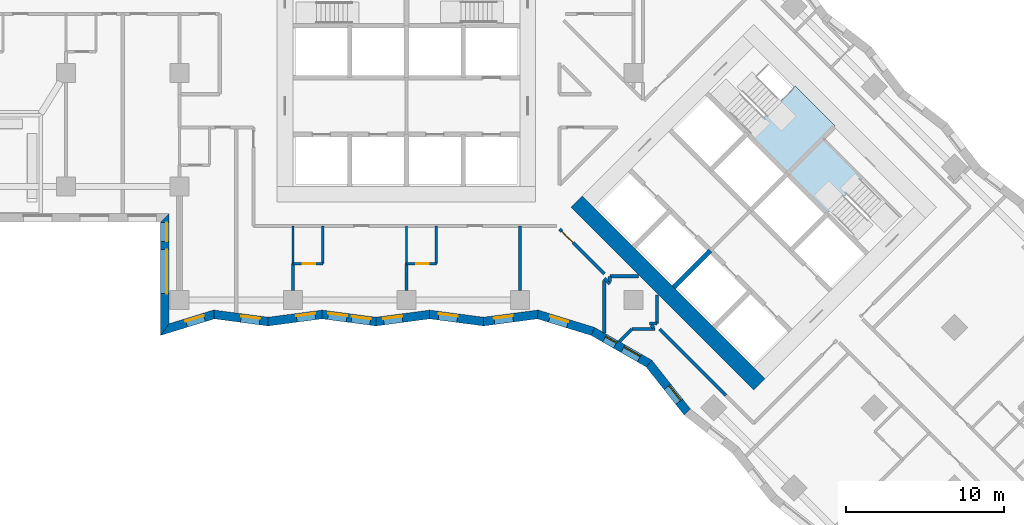
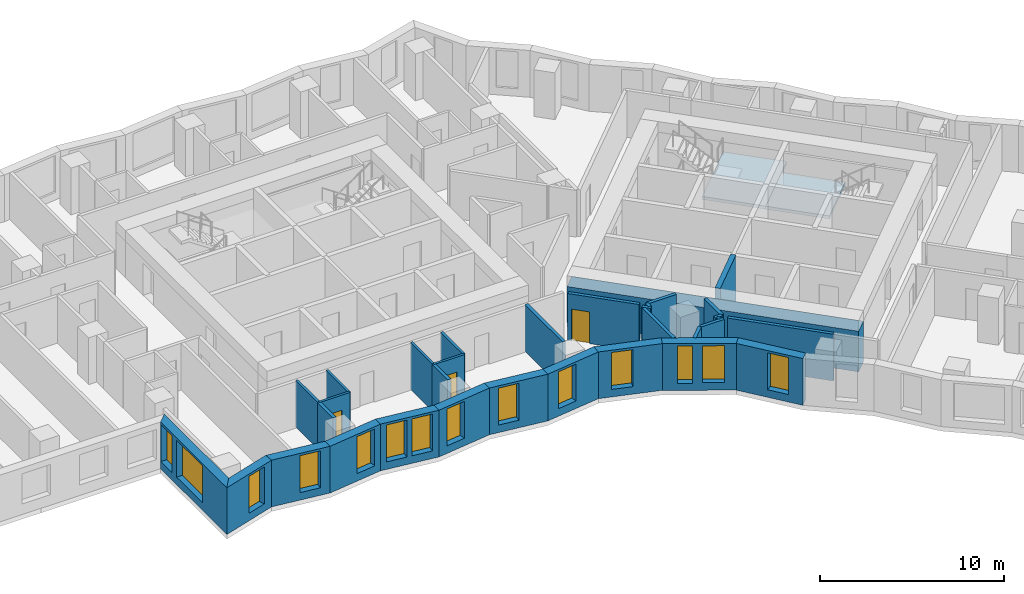
# One storey, part 2 of 14: 33 walls, 14 windows, 3 doors, 2 slabs, 17 openings, 2 elements without a shape of their own.
"""IFC4 building model written with IfcOpenShell, lengths in metres."""

from ifc_helpers import new_model, si_unit, direction, frame, frame_2d, origin, place, context, subcontext, project, spatial, polyline, rectangle, outline, extrude, material, layer, layer_set, type_object, element, fill, aggregate, save


model = new_model("IFC4")

# Units and contexts
model_context = context("Model", 3, precision=1e-05, world=origin(), true_north=direction((0.0, 1.0)))
body_context = subcontext(model_context, "Body", "Model", "MODEL_VIEW")
ifc_project = project(units=[si_unit("LENGTHUNIT", "METRE"), si_unit("AREAUNIT", "SQUARE_METRE"), si_unit("VOLUMEUNIT", "CUBIC_METRE"), si_unit("PLANEANGLEUNIT", "RADIAN"), si_unit("MASSUNIT", "GRAM", prefix="KILO")], contexts=[model_context])

# Site, building, storey
site_placement = place(None, origin())
site = spatial("IfcSite", under=ifc_project, at=site_placement, CompositionType="ELEMENT")
building_placement = place(site_placement, origin())
building = spatial("IfcBuilding", under=site, at=building_placement, Name="Windrow Commons", CompositionType="ELEMENT")
storey_placement = place(building_placement, frame((0.0, 0.0, 44.0)))
storey = spatial("IfcBuildingStorey", under=building, at=storey_placement, Name="L11", CompositionType="ELEMENT", Elevation=44.0)

# Stair, slab
ifc_material_1 = material(Name="Concrete C40/50", Category="concrete")
stair_type = type_object("IfcStairType", Name="Core stair", PredefinedType="HALF_TURN_STAIR", material=ifc_material_1)
placement_1 = place(storey_placement, origin())
stair_1 = element("IfcStair", 1, at=placement_1, inside=storey, type_object=stair_type, Name="L11 Exit stair B1 core B", PredefinedType="HALF_TURN_STAIR")
ifc_material_2 = material(Name="Concrete C40/50", Category="concrete")
ifc_layer_1 = layer(ifc_material_2, 0.2)
ifc_layer_set_1 = layer_set([ifc_layer_1], Name="Core stair landing")
slab_type = type_object("IfcSlabType", Name="Core stair landing", PredefinedType="LANDING", material=ifc_layer_set_1)
placement_2 = place(storey_placement, frame((0.0, 0.0, 1.5)))
slab_1 = element("IfcSlab", 2, at=placement_2, type_object=slab_type, Name="ST-B1 landing 1", PredefinedType="LANDING", context=body_context, shape_type="SweptSolid", body=[
    extrude(outline(polyline([(86.3559, 53.6718), (88.8874, 51.1403), (91.9986, 54.2516), (89.4672, 56.7831), (86.3559, 53.6718)])), origin(), (0.0, 0.0, 1.0), 0.2),
])
aggregate(stair_1, [slab_1])

stair_2 = element("IfcStair", 3, at=placement_1, inside=storey, type_object=stair_type, Name="L11 Exit stair B2 core B", PredefinedType="HALF_TURN_STAIR")
slab_2 = element("IfcSlab", 4, at=placement_2, type_object=slab_type, Name="ST-B2 landing 1", PredefinedType="LANDING", context=body_context, shape_type="SweptSolid", body=[
    extrude(outline(polyline([(88.8874, 51.1403), (91.4188, 48.6089), (93.7911, 50.9812), (91.2597, 53.5127), (88.8874, 51.1403)])), origin(), (0.0, 0.0, 1.0), 0.2),
])
aggregate(stair_2, [slab_2])

# Wall, openings, windows
ifc_material_3 = material(Name="Brick masonry, red clay brick", Category="masonry")
ifc_layer_2 = layer(ifc_material_3, 0.55)
ifc_layer_set_2 = layer_set([ifc_layer_2], Name="Brick facade wall 550")
wall_type_1 = type_object("IfcWallType", Name="Brick facade wall 550", PredefinedType="SOLIDWALL", material=ifc_layer_set_2)
wall_1_placement = place(storey_placement, frame((49.475, 48.424, 0.0), z_axis=(0.0, 0.0, 1.0), x_axis=(0.0, -1.0, 0.0)))
wall_1 = element("IfcWall", 5, at=wall_1_placement, inside=storey, type_object=wall_type_1, Name="Brick facade wall L11 45", PredefinedType="SOLIDWALL", context=body_context, shape_type="SweptSolid", body=[
    extrude(outline(polyline([(0.275, -0.275), (7.475, -0.275), (6.7303, 0.275), (-0.275, 0.275), (0.275, -0.275)])), origin(), (0.0, 0.0, 1.0), 3.1),
])
opening_1_placement = place(wall_1_placement, frame((2.024, 0.0, 0.5)))
opening_1 = element("IfcOpeningElement", 6, at=opening_1_placement, cuts=wall_1, Name="Opening W1T", PredefinedType="OPENING", context=body_context, shape_type="SweptSolid", body=[
    extrude(rectangle(XDim=2.8, YDim=2.45, at=frame_2d((1.4, 1.225))), frame((0.0, 0.285, 0.0), z_axis=(0.0, -1.0, 0.0), x_axis=(1.0, 0.0, 0.0)), (0.0, 0.0, 1.0), 0.57),
])
opening_2_placement = place(wall_1_placement, frame((0.312, 0.0, 0.5)))
opening_2 = element("IfcOpeningElement", 7, at=opening_2_placement, cuts=wall_1, Name="Opening W7D", PredefinedType="OPENING", context=body_context, shape_type="SweptSolid", body=[
    extrude(rectangle(XDim=1.2, YDim=2.45, at=frame_2d((0.6, 1.225))), frame((0.0, 0.285, 0.0), z_axis=(0.0, -1.0, 0.0), x_axis=(1.0, 0.0, 0.0)), (0.0, 0.0, 1.0), 0.57),
])
ifc_material_4 = material(Name="Clear float glass in anodised aluminium frame", Category="aluminium")
window_type_1 = type_object("IfcWindowType", Name="Window W1T bedroom 2800x2450", PartitioningType="SINGLE_PANEL", PredefinedType="WINDOW", material=ifc_material_4)
window_1_placement = place(opening_1_placement, origin())
window_1 = element("IfcWindow", 8, at=window_1_placement, inside=storey, type_object=window_type_1, Name="Window L11 45.1", OverallHeight=2.45, OverallWidth=2.8, PartitioningType="SINGLE_PANEL", PredefinedType="WINDOW", context=body_context, shape_type="SweptSolid", body=[
    extrude(rectangle(XDim=2.8, YDim=2.45, at=frame_2d((1.4, 1.225))), frame((0.0, 0.155, 0.0), z_axis=(0.0, -1.0, 0.0), x_axis=(1.0, 0.0, 0.0)), (0.0, 0.0, 1.0), 0.06),
])
fill(opening_1, window_1)
ifc_material_5 = material(Name="Clear float glass in anodised aluminium frame", Category="aluminium")
window_type_2 = type_object("IfcWindowType", Name="Window W7 notch 1200x2450", PartitioningType="SINGLE_PANEL", PredefinedType="WINDOW", material=ifc_material_5)
window_2_placement = place(opening_2_placement, origin())
window_2 = element("IfcWindow", 9, at=window_2_placement, inside=storey, type_object=window_type_2, Name="Window L11 45.2", OverallHeight=2.45, OverallWidth=1.2, PartitioningType="SINGLE_PANEL", PredefinedType="WINDOW", context=body_context, shape_type="SweptSolid", body=[
    extrude(rectangle(XDim=1.2, YDim=2.45, at=frame_2d((0.6, 1.225))), frame((0.0, 0.155, 0.0), z_axis=(0.0, -1.0, 0.0), x_axis=(1.0, 0.0, 0.0)), (0.0, 0.0, 1.0), 0.06),
])
fill(opening_2, window_2)

# Wall, opening, window
wall_2_placement = place(storey_placement, frame((49.475, 41.3214, 0.0), z_axis=(0.0, 0.0, 1.0), x_axis=(0.9557664095, 0.2941267931, 0.0)))
wall_2 = element("IfcWall", 10, at=wall_2_placement, inside=storey, type_object=wall_type_1, Name="Brick facade wall L11 46", PredefinedType="SOLIDWALL", context=body_context, shape_type="SweptSolid", body=[
    extrude(outline(polyline([(-0.3724, -0.275), (3.2008, -0.275), (3.3208, 0.275), (0.3724, 0.275), (-0.3724, -0.275)])), origin(), (0.0, 0.0, 1.0), 3.1),
])
opening_3_placement = place(wall_2_placement, frame((1.4143, 0.0, 0.5)))
opening_3 = element("IfcOpeningElement", 11, at=opening_3_placement, cuts=wall_2, Name="Opening W7D", PredefinedType="OPENING", context=body_context, shape_type="SweptSolid", body=[
    extrude(rectangle(XDim=1.2, YDim=2.45, at=frame_2d((0.6, 1.225))), frame((0.0, 0.285, 0.0), z_axis=(0.0, -1.0, 0.0), x_axis=(1.0, 0.0, 0.0)), (0.0, 0.0, 1.0), 0.57),
])
window_3_placement = place(opening_3_placement, origin())
window_3 = element("IfcWindow", 12, at=window_3_placement, inside=storey, type_object=window_type_2, Name="Window L11 46.1", OverallHeight=2.45, OverallWidth=1.2, PartitioningType="SINGLE_PANEL", PredefinedType="WINDOW", context=body_context, shape_type="SweptSolid", body=[
    extrude(rectangle(XDim=1.2, YDim=2.45, at=frame_2d((0.6, 1.225))), frame((0.0, 0.155, 0.0), z_axis=(0.0, -1.0, 0.0), x_axis=(1.0, 0.0, 0.0)), (0.0, 0.0, 1.0), 0.06),
])
fill(opening_3, window_3)

wall_3_placement = place(storey_placement, frame((52.5916, 42.2805, 0.0), z_axis=(0.0, 0.0, 1.0), x_axis=(0.9913920636, -0.1309266064, 0.0)))
wall_3 = element("IfcWall", 13, at=wall_3_placement, inside=storey, type_object=wall_type_1, Name="Brick facade wall L11 47", PredefinedType="SOLIDWALL", context=body_context, shape_type="SweptSolid", body=[
    extrude(outline(polyline([(0.06, -0.275), (3.5048, -0.275), (3.4321, 0.275), (-0.06, 0.275), (0.06, -0.275)])), origin(), (0.0, 0.0, 1.0), 3.1),
])
opening_4_placement = place(wall_3_placement, frame((1.7264, 0.0, 0.5)))
opening_4 = element("IfcOpeningElement", 14, at=opening_4_placement, cuts=wall_3, Name="Opening W7D", PredefinedType="OPENING", context=body_context, shape_type="SweptSolid", body=[
    extrude(rectangle(XDim=1.2, YDim=2.45, at=frame_2d((0.6, 1.225))), frame((0.0, 0.285, 0.0), z_axis=(0.0, -1.0, 0.0), x_axis=(1.0, 0.0, 0.0)), (0.0, 0.0, 1.0), 0.57),
])
window_4_placement = place(opening_4_placement, origin())
window_4 = element("IfcWindow", 15, at=window_4_placement, inside=storey, type_object=window_type_2, Name="Window L11 47.1", OverallHeight=2.45, OverallWidth=1.2, PartitioningType="SINGLE_PANEL", PredefinedType="WINDOW", context=body_context, shape_type="SweptSolid", body=[
    extrude(rectangle(XDim=1.2, YDim=2.45, at=frame_2d((0.6, 1.225))), frame((0.0, 0.155, 0.0), z_axis=(0.0, -1.0, 0.0), x_axis=(1.0, 0.0, 0.0)), (0.0, 0.0, 1.0), 0.06),
])
fill(opening_4, window_4)

wall_4_placement = place(storey_placement, frame((56.0301, 41.8264, 0.0), z_axis=(0.0, 0.0, 1.0), x_axis=(0.9913924297, 0.1309238341, 0.0)))
wall_4 = element("IfcWall", 16, at=wall_4_placement, inside=storey, type_object=wall_type_1, Name="Brick facade wall L11 48", PredefinedType="SOLIDWALL", context=body_context, shape_type="SweptSolid", body=[
    extrude(outline(polyline([(-0.0363, -0.275), (3.4084, -0.275), (3.481, 0.275), (0.0363, 0.275), (-0.0363, -0.275)])), origin(), (0.0, 0.0, 1.0), 3.1),
])
opening_5_placement = place(wall_4_placement, frame((1.8141, 0.0, 0.5)))
opening_5 = element("IfcOpeningElement", 17, at=opening_5_placement, cuts=wall_4, Name="Opening W7D", PredefinedType="OPENING", context=body_context, shape_type="SweptSolid", body=[
    extrude(rectangle(XDim=1.2, YDim=2.45, at=frame_2d((0.6, 1.225))), frame((0.0, 0.285, 0.0), z_axis=(0.0, -1.0, 0.0), x_axis=(1.0, 0.0, 0.0)), (0.0, 0.0, 1.0), 0.57),
])
window_5_placement = place(opening_5_placement, origin())
window_5 = element("IfcWindow", 18, at=window_5_placement, inside=storey, type_object=window_type_2, Name="Window L11 48.1", OverallHeight=2.45, OverallWidth=1.2, PartitioningType="SINGLE_PANEL", PredefinedType="WINDOW", context=body_context, shape_type="SweptSolid", body=[
    extrude(rectangle(XDim=1.2, YDim=2.45, at=frame_2d((0.6, 1.225))), frame((0.0, 0.155, 0.0), z_axis=(0.0, -1.0, 0.0), x_axis=(1.0, 0.0, 0.0)), (0.0, 0.0, 1.0), 0.06),
])
fill(opening_5, window_5)

# Wall, openings, windows
wall_5_placement = place(storey_placement, frame((59.4452, 42.2774, 0.0), z_axis=(0.0, 0.0, 1.0), x_axis=(0.9913924297, -0.1309238341, 0.0)))
wall_5 = element("IfcWall", 19, at=wall_5_placement, inside=storey, type_object=wall_type_1, Name="Brick facade wall L11 49", PredefinedType="SOLIDWALL", context=body_context, shape_type="SweptSolid", body=[
    extrude(outline(polyline([(0.0363, -0.275), (3.481, -0.275), (3.4084, 0.275), (-0.0363, 0.275), (0.0363, -0.275)])), origin(), (0.0, 0.0, 1.0), 3.1),
])
opening_6_placement = place(wall_5_placement, frame((0.385, 0.0, 0.5)))
opening_6 = element("IfcOpeningElement", 20, at=opening_6_placement, cuts=wall_5, Name="Opening W7D", PredefinedType="OPENING", context=body_context, shape_type="SweptSolid", body=[
    extrude(rectangle(XDim=1.2, YDim=2.45, at=frame_2d((0.6, 1.225))), frame((0.0, 0.285, 0.0), z_axis=(0.0, -1.0, 0.0), x_axis=(1.0, 0.0, 0.0)), (0.0, 0.0, 1.0), 0.57),
])
opening_7_placement = place(wall_5_placement, frame((1.8892, 0.0, 0.5)))
opening_7 = element("IfcOpeningElement", 21, at=opening_7_placement, cuts=wall_5, Name="Opening W7D", PredefinedType="OPENING", context=body_context, shape_type="SweptSolid", body=[
    extrude(rectangle(XDim=1.2, YDim=2.45, at=frame_2d((0.6, 1.225))), frame((0.0, 0.285, 0.0), z_axis=(0.0, -1.0, 0.0), x_axis=(1.0, 0.0, 0.0)), (0.0, 0.0, 1.0), 0.57),
])
window_6_placement = place(opening_6_placement, origin())
window_6 = element("IfcWindow", 22, at=window_6_placement, inside=storey, type_object=window_type_2, Name="Window L11 49.1", OverallHeight=2.45, OverallWidth=1.2, PartitioningType="SINGLE_PANEL", PredefinedType="WINDOW", context=body_context, shape_type="SweptSolid", body=[
    extrude(rectangle(XDim=1.2, YDim=2.45, at=frame_2d((0.6, 1.225))), frame((0.0, 0.155, 0.0), z_axis=(0.0, -1.0, 0.0), x_axis=(1.0, 0.0, 0.0)), (0.0, 0.0, 1.0), 0.06),
])
fill(opening_6, window_6)
window_7_placement = place(opening_7_placement, origin())
window_7 = element("IfcWindow", 23, at=window_7_placement, inside=storey, type_object=window_type_2, Name="Window L11 49.2", OverallHeight=2.45, OverallWidth=1.2, PartitioningType="SINGLE_PANEL", PredefinedType="WINDOW", context=body_context, shape_type="SweptSolid", body=[
    extrude(rectangle(XDim=1.2, YDim=2.45, at=frame_2d((0.6, 1.225))), frame((0.0, 0.155, 0.0), z_axis=(0.0, -1.0, 0.0), x_axis=(1.0, 0.0, 0.0)), (0.0, 0.0, 1.0), 0.06),
])
fill(opening_7, window_7)

# Wall, opening, window
wall_6_placement = place(storey_placement, frame((62.8603, 41.8264, 0.0), z_axis=(0.0, 0.0, 1.0), x_axis=(0.9913924297, 0.1309238341, 0.0)))
wall_6 = element("IfcWall", 24, at=wall_6_placement, inside=storey, type_object=wall_type_1, Name="Brick facade wall L11 50", PredefinedType="SOLIDWALL", context=body_context, shape_type="SweptSolid", body=[
    extrude(outline(polyline([(-0.0363, -0.275), (3.4084, -0.275), (3.481, 0.275), (0.0363, 0.275), (-0.0363, -0.275)])), origin(), (0.0, 0.0, 1.0), 3.1),
])
opening_8_placement = place(wall_6_placement, frame((0.4964, 0.0, 0.5)))
opening_8 = element("IfcOpeningElement", 25, at=opening_8_placement, cuts=wall_6, Name="Opening W7D", PredefinedType="OPENING", context=body_context, shape_type="SweptSolid", body=[
    extrude(rectangle(XDim=1.2, YDim=2.45, at=frame_2d((0.6, 1.225))), frame((0.0, 0.285, 0.0), z_axis=(0.0, -1.0, 0.0), x_axis=(1.0, 0.0, 0.0)), (0.0, 0.0, 1.0), 0.57),
])
window_8_placement = place(opening_8_placement, origin())
window_8 = element("IfcWindow", 26, at=window_8_placement, inside=storey, type_object=window_type_2, Name="Window L11 50.1", OverallHeight=2.45, OverallWidth=1.2, PartitioningType="SINGLE_PANEL", PredefinedType="WINDOW", context=body_context, shape_type="SweptSolid", body=[
    extrude(rectangle(XDim=1.2, YDim=2.45, at=frame_2d((0.6, 1.225))), frame((0.0, 0.155, 0.0), z_axis=(0.0, -1.0, 0.0), x_axis=(1.0, 0.0, 0.0)), (0.0, 0.0, 1.0), 0.06),
])
fill(opening_8, window_8)

wall_7_placement = place(storey_placement, frame((66.2754, 42.2774, 0.0), z_axis=(0.0, 0.0, 1.0), x_axis=(0.9913919321, -0.1309276022, 0.0)))
wall_7 = element("IfcWall", 27, at=wall_7_placement, inside=storey, type_object=wall_type_1, Name="Brick facade wall L11 51", PredefinedType="SOLIDWALL", context=body_context, shape_type="SweptSolid", body=[
    extrude(outline(polyline([(0.0363, -0.275), (3.481, -0.275), (3.4084, 0.275), (-0.0363, 0.275), (0.0363, -0.275)])), origin(), (0.0, 0.0, 1.0), 3.1),
])
opening_9_placement = place(wall_7_placement, frame((0.5715, 0.0, 0.5)))
opening_9 = element("IfcOpeningElement", 28, at=opening_9_placement, cuts=wall_7, Name="Opening W7D", PredefinedType="OPENING", context=body_context, shape_type="SweptSolid", body=[
    extrude(rectangle(XDim=1.2, YDim=2.45, at=frame_2d((0.6, 1.225))), frame((0.0, 0.285, 0.0), z_axis=(0.0, -1.0, 0.0), x_axis=(1.0, 0.0, 0.0)), (0.0, 0.0, 1.0), 0.57),
])
window_9_placement = place(opening_9_placement, origin())
window_9 = element("IfcWindow", 29, at=window_9_placement, inside=storey, type_object=window_type_2, Name="Window L11 51.1", OverallHeight=2.45, OverallWidth=1.2, PartitioningType="SINGLE_PANEL", PredefinedType="WINDOW", context=body_context, shape_type="SweptSolid", body=[
    extrude(rectangle(XDim=1.2, YDim=2.45, at=frame_2d((0.6, 1.225))), frame((0.0, 0.155, 0.0), z_axis=(0.0, -1.0, 0.0), x_axis=(1.0, 0.0, 0.0)), (0.0, 0.0, 1.0), 0.06),
])
fill(opening_9, window_9)

wall_8_placement = place(storey_placement, frame((69.6904, 41.8264, 0.0), z_axis=(0.0, 0.0, 1.0), x_axis=(0.9913925578, 0.1309228641, 0.0)))
wall_8 = element("IfcWall", 30, at=wall_8_placement, inside=storey, type_object=wall_type_1, Name="Brick facade wall L11 52", PredefinedType="SOLIDWALL", context=body_context, shape_type="SweptSolid", body=[
    extrude(outline(polyline([(-0.0363, -0.275), (3.4084, -0.275), (3.5285, 0.275), (0.0363, 0.275), (-0.0363, -0.275)])), origin(), (0.0, 0.0, 1.0), 3.1),
])
opening_10_placement = place(wall_8_placement, frame((0.683, 0.0, 0.5)))
opening_10 = element("IfcOpeningElement", 31, at=opening_10_placement, cuts=wall_8, Name="Opening W7D", PredefinedType="OPENING", context=body_context, shape_type="SweptSolid", body=[
    extrude(rectangle(XDim=1.2, YDim=2.45, at=frame_2d((0.6, 1.225))), frame((0.0, 0.285, 0.0), z_axis=(0.0, -1.0, 0.0), x_axis=(1.0, 0.0, 0.0)), (0.0, 0.0, 1.0), 0.57),
])
window_10_placement = place(opening_10_placement, origin())
window_10 = element("IfcWindow", 32, at=window_10_placement, inside=storey, type_object=window_type_2, Name="Window L11 52.1", OverallHeight=2.45, OverallWidth=1.2, PartitioningType="SINGLE_PANEL", PredefinedType="WINDOW", context=body_context, shape_type="SweptSolid", body=[
    extrude(rectangle(XDim=1.2, YDim=2.45, at=frame_2d((0.6, 1.225))), frame((0.0, 0.155, 0.0), z_axis=(0.0, -1.0, 0.0), x_axis=(1.0, 0.0, 0.0)), (0.0, 0.0, 1.0), 0.06),
])
fill(opening_10, window_10)

wall_9_placement = place(storey_placement, frame((73.129, 42.2805, 0.0), z_axis=(0.0, 0.0, 1.0), x_axis=(0.9557595319, -0.2941491411, 0.0)))
wall_9 = element("IfcWall", 33, at=wall_9_placement, inside=storey, type_object=wall_type_1, Name="Brick facade wall L11 53", PredefinedType="SOLIDWALL", context=body_context, shape_type="SweptSolid", body=[
    extrude(outline(polyline([(0.06, -0.275), (3.6332, -0.275), (3.6944, 0.275), (-0.06, 0.275), (0.06, -0.275)])), origin(), (0.0, 0.0, 1.0), 3.1),
])
opening_11_placement = place(wall_9_placement, frame((0.7927, 0.0, 0.5)))
opening_11 = element("IfcOpeningElement", 34, at=opening_11_placement, cuts=wall_9, Name="Opening W7D", PredefinedType="OPENING", context=body_context, shape_type="SweptSolid", body=[
    extrude(rectangle(XDim=1.2, YDim=2.45, at=frame_2d((0.6, 1.225))), frame((0.0, 0.285, 0.0), z_axis=(0.0, -1.0, 0.0), x_axis=(1.0, 0.0, 0.0)), (0.0, 0.0, 1.0), 0.57),
])
window_11_placement = place(opening_11_placement, origin())
window_11 = element("IfcWindow", 35, at=window_11_placement, inside=storey, type_object=window_type_2, Name="Window L11 53.1", OverallHeight=2.45, OverallWidth=1.2, PartitioningType="SINGLE_PANEL", PredefinedType="WINDOW", context=body_context, shape_type="SweptSolid", body=[
    extrude(rectangle(XDim=1.2, YDim=2.45, at=frame_2d((0.6, 1.225))), frame((0.0, 0.155, 0.0), z_axis=(0.0, -1.0, 0.0), x_axis=(1.0, 0.0, 0.0)), (0.0, 0.0, 1.0), 0.06),
])
fill(opening_11, window_11)

# Wall, openings, windows
wall_10_placement = place(storey_placement, frame((76.6307, 41.2028, 0.0), z_axis=(0.0, 0.0, 1.0), x_axis=(0.8675936053, -0.4972739044, 0.0)))
wall_10 = element("IfcWall", 36, at=wall_10_placement, inside=storey, type_object=wall_type_1, Name="Brick facade wall L11 54", PredefinedType="SOLIDWALL", context=body_context, shape_type="SweptSolid", body=[
    extrude(outline(polyline([(0.0306, -0.275), (4.0445, -0.275), (4.1505, 0.275), (-0.0306, 0.275), (0.0306, -0.275)])), origin(), (0.0, 0.0, 1.0), 3.1),
])
opening_12_placement = place(wall_10_placement, frame((2.1983, 0.0, 0.5)))
opening_12 = element("IfcOpeningElement", 37, at=opening_12_placement, cuts=wall_10, Name="Opening W7D", PredefinedType="OPENING", context=body_context, shape_type="SweptSolid", body=[
    extrude(rectangle(XDim=1.2, YDim=2.45, at=frame_2d((0.6, 1.225))), frame((0.0, 0.285, 0.0), z_axis=(0.0, -1.0, 0.0), x_axis=(1.0, 0.0, 0.0)), (0.0, 0.0, 1.0), 0.57),
])
opening_13_placement = place(wall_10_placement, frame((0.8596, 0.0, 0.45)))
opening_13 = element("IfcOpeningElement", 38, at=opening_13_placement, cuts=wall_10, Name="Opening W1N", PredefinedType="OPENING", context=body_context, shape_type="SweptSolid", body=[
    extrude(rectangle(XDim=0.8, YDim=2.5, at=frame_2d((0.4, 1.25))), frame((0.0, 0.285, 0.0), z_axis=(0.0, -1.0, 0.0), x_axis=(1.0, 0.0, 0.0)), (0.0, 0.0, 1.0), 0.57),
])
ifc_material_6 = material(Name="Clear float glass in anodised aluminium frame", Category="aluminium")
window_type_3 = type_object("IfcWindowType", Name="Window W1N slit 800x2500", PartitioningType="SINGLE_PANEL", PredefinedType="WINDOW", material=ifc_material_6)
window_12_placement = place(opening_13_placement, origin())
window_12 = element("IfcWindow", 39, at=window_12_placement, inside=storey, type_object=window_type_3, Name="Window L11 54.1A", OverallHeight=2.5, OverallWidth=0.8, PartitioningType="SINGLE_PANEL", PredefinedType="WINDOW", context=body_context, shape_type="SweptSolid", body=[
    extrude(rectangle(XDim=0.8, YDim=2.5, at=frame_2d((0.4, 1.25))), frame((0.0, 0.155, 0.0), z_axis=(0.0, -1.0, 0.0), x_axis=(1.0, 0.0, 0.0)), (0.0, 0.0, 1.0), 0.06),
])
fill(opening_13, window_12)
window_13_placement = place(opening_12_placement, origin())
window_13 = element("IfcWindow", 40, at=window_13_placement, inside=storey, type_object=window_type_2, Name="Window L11 54.2", OverallHeight=2.45, OverallWidth=1.2, PartitioningType="SINGLE_PANEL", PredefinedType="WINDOW", context=body_context, shape_type="SweptSolid", body=[
    extrude(rectangle(XDim=1.2, YDim=2.45, at=frame_2d((0.6, 1.225))), frame((0.0, 0.155, 0.0), z_axis=(0.0, -1.0, 0.0), x_axis=(1.0, 0.0, 0.0)), (0.0, 0.0, 1.0), 0.06),
])
fill(opening_12, window_13)

# Wall, opening, window
wall_11_placement = place(storey_placement, frame((80.1857, 39.1652, 0.0), z_axis=(0.0, 0.0, 1.0), x_axis=(0.6205840465, -0.7841399373, 0.0)))
wall_11 = element("IfcWall", 41, at=wall_11_placement, inside=storey, type_object=wall_type_1, Name="Brick facade wall L11 55", PredefinedType="SOLIDWALL", context=body_context, shape_type="SweptSolid", body=[
    extrude(outline(polyline([(0.053, -0.275), (3.953, -0.275), (3.889, 0.275), (-0.053, 0.275), (0.053, -0.275)])), origin(), (0.0, 0.0, 1.0), 3.1),
])
opening_14_placement = place(wall_11_placement, frame((1.8915, 0.0, 0.5)))
opening_14 = element("IfcOpeningElement", 42, at=opening_14_placement, cuts=wall_11, Name="Opening W7D", PredefinedType="OPENING", context=body_context, shape_type="SweptSolid", body=[
    extrude(rectangle(XDim=1.2, YDim=2.45, at=frame_2d((0.6, 1.225))), frame((0.0, 0.285, 0.0), z_axis=(0.0, -1.0, 0.0), x_axis=(1.0, 0.0, 0.0)), (0.0, 0.0, 1.0), 0.57),
])
window_14_placement = place(opening_14_placement, origin())
window_14 = element("IfcWindow", 43, at=window_14_placement, inside=storey, type_object=window_type_2, Name="Window L11 55.1", OverallHeight=2.45, OverallWidth=1.2, PartitioningType="SINGLE_PANEL", PredefinedType="WINDOW", context=body_context, shape_type="SweptSolid", body=[
    extrude(rectangle(XDim=1.2, YDim=2.45, at=frame_2d((0.6, 1.225))), frame((0.0, 0.155, 0.0), z_axis=(0.0, -1.0, 0.0), x_axis=(1.0, 0.0, 0.0)), (0.0, 0.0, 1.0), 0.06),
])
fill(opening_14, window_14)

# Wall
ifc_material_7 = material(Name="Blockwork partition", Category="masonry")
ifc_layer_3 = layer(ifc_material_7, 0.2)
ifc_layer_set_3 = layer_set([ifc_layer_3], Name="IW-CORRIDOR-200")
wall_type_2 = type_object("IfcWallType", Name="IW-CORRIDOR-200", PredefinedType="PARTITIONING", material=ifc_layer_set_3)
wall_12_placement = place(storey_placement, frame((85.0698, 37.1418, 0.0), z_axis=(0.0, 0.0, 1.0), x_axis=(-0.7070899851, 0.7071235769, 0.0)))
element("IfcWall", 44, at=wall_12_placement, inside=storey, type_object=wall_type_2, Name="W-L11-W032", PredefinedType="PARTITIONING", context=body_context, shape_type="SweptSolid", body=[
    extrude(rectangle(XDim=5.9538, YDim=0.2, at=frame_2d((2.9769, 0.0))), origin(), (0.0, 0.0, 1.0), 3.1),
])

# Wall, opening, door
wall_13_placement = place(storey_placement, frame((74.5051, 47.6971, 0.0), z_axis=(0.0, 0.0, 1.0), x_axis=(0.7071067812, -0.7071067812, 0.0)))
wall_13 = element("IfcWall", 45, at=wall_13_placement, inside=storey, type_object=wall_type_2, Name="W-L11-W050", PredefinedType="PARTITIONING", context=body_context, shape_type="SweptSolid", body=[
    extrude(rectangle(XDim=4.0192, YDim=0.2, at=frame_2d((2.0096, 0.0))), origin(), (0.0, 0.0, 1.0), 3.1),
])
opening_15_placement = place(wall_13_placement, frame((0.2147, 0.0, 0.0)))
opening_15 = element("IfcOpeningElement", 46, at=opening_15_placement, cuts=wall_13, Name="Opening D310F", PredefinedType="OPENING", context=body_context, shape_type="SweptSolid", body=[
    extrude(rectangle(XDim=1.0, YDim=2.1, at=frame_2d((0.5, 1.05))), frame((0.0, 0.11, 0.0), z_axis=(0.0, -1.0, 0.0), x_axis=(1.0, 0.0, 0.0)), (0.0, 0.0, 1.0), 0.22),
])
ifc_material_8 = material(Name="Timber door leaf", Category="wood")
door_type_1 = type_object("IfcDoorType", Name="DT-AMENITY-1000", OperationType="SINGLE_SWING_LEFT", PredefinedType="DOOR", material=ifc_material_8)
door_1_placement = place(opening_15_placement, origin())
door_1 = element("IfcDoor", 47, at=door_1_placement, inside=storey, type_object=door_type_1, Name="D-L11-D036", OperationType="SINGLE_SWING_LEFT", OverallHeight=2.1, OverallWidth=1.0, PredefinedType="DOOR", context=body_context, shape_type="SweptSolid", body=[
    extrude(rectangle(XDim=1.0, YDim=2.1, at=frame_2d((0.5, 1.05))), frame((0.0, 0.025, 0.0), z_axis=(0.0, -1.0, 0.0), x_axis=(1.0, 0.0, 0.0)), (0.0, 0.0, 1.0), 0.05),
])
fill(opening_15, door_1)

# Walls
for number, where, z_axis, x_axis, name in (
    (48, (77.702, 44.7, 0.0), (0.0, 0.0, 1.0), (1.0, 0.0, 0.0), "W-L11-W143"),
    (49, (80.7, 41.702, 0.0), (0.0, 0.0, 1.0), (0.0, 1.0, 0.0), "W-L11-W144"),
):
    element("IfcWall", number, at=place(storey_placement, frame(where, z_axis=z_axis, x_axis=x_axis)), inside=storey, type_object=wall_type_2, Name=name, PredefinedType="PARTITIONING", context=body_context, shape_type="SweptSolid", body=[
        extrude(rectangle(XDim=1.814, YDim=0.2, at=frame_2d((0.907, 0.0))), origin(), (0.0, 0.0, 1.0), 3.1),
    ])
wall_14_placement = place(storey_placement, frame((77.3467, 44.5727, 0.0), z_axis=(0.0, 0.0, 1.0), x_axis=(0.7071067812, -0.7071067812, 0.0)))
element("IfcWall", 50, at=wall_14_placement, inside=storey, type_object=wall_type_2, Name="W-L11-W187", PredefinedType="PARTITIONING", context=body_context, shape_type="SweptSolid", body=[
    extrude(rectangle(XDim=0.495, YDim=0.2, at=frame_2d((0.2475, 0.0))), origin(), (0.0, 0.0, 1.0), 3.1),
])
wall_15_placement = place(storey_placement, frame((80.3146, 41.6048, 0.0), z_axis=(0.0, 0.0, 1.0), x_axis=(0.7071067812, -0.7071067812, 0.0)))
element("IfcWall", 51, at=wall_15_placement, inside=storey, type_object=wall_type_2, Name="W-L11-W188", PredefinedType="PARTITIONING", context=body_context, shape_type="SweptSolid", body=[
    extrude(rectangle(XDim=0.225, YDim=0.2, at=frame_2d((0.1125, 0.0))), origin(), (0.0, 0.0, 1.0), 3.1),
])
wall_16_placement = place(storey_placement, frame((77.7, 44.356, 0.0), z_axis=(0.0, 0.0, 1.0), x_axis=(0.0, 1.0, 0.0)))
element("IfcWall", 52, at=wall_16_placement, inside=storey, type_object=wall_type_2, Name="W-L11-W191", PredefinedType="PARTITIONING", context=body_context, shape_type="SweptSolid", body=[
    extrude(rectangle(XDim=0.344, YDim=0.2, at=frame_2d((0.172, 0.0))), origin(), (0.0, 0.0, 1.0), 3.1),
])
wall_17_placement = place(storey_placement, frame((80.226, 41.7, 0.0), z_axis=(0.0, 0.0, 1.0), x_axis=(1.0, 0.0, 0.0)))
element("IfcWall", 53, at=wall_17_placement, inside=storey, type_object=wall_type_2, Name="W-L11-W192", PredefinedType="PARTITIONING", context=body_context, shape_type="SweptSolid", body=[
    extrude(rectangle(XDim=0.474, YDim=0.2, at=frame_2d((0.237, 0.0))), origin(), (0.0, 0.0, 1.0), 3.1),
])
ifc_material_9 = material(Name="Blockwork partition", Category="masonry")
ifc_layer_4 = layer(ifc_material_9, 0.15)
ifc_layer_set_4 = layer_set([ifc_layer_4], Name="IW-ENSUITE-150")
wall_type_3 = type_object("IfcWallType", Name="IW-ENSUITE-150", PredefinedType="PARTITIONING", material=ifc_layer_set_4)
for number, where, z_axis, x_axis, name in (
    (54, (59.5, 45.5, 0.0), (0.0, 0.0, 1.0), (0.0, 1.0, 0.0), "W-L11-W088"),
    (55, (57.6, 45.5, 0.0), (0.0, 0.0, 1.0), (0.0, 1.0, 0.0), "W-L11-W089"),
    (56, (66.7, 45.5, 0.0), (0.0, 0.0, 1.0), (0.0, 1.0, 0.0), "W-L11-W090"),
    (57, (64.8, 45.5, 0.0), (0.0, 0.0, 1.0), (0.0, 1.0, 0.0), "W-L11-W091"),
):
    element("IfcWall", number, at=place(storey_placement, frame(where, z_axis=z_axis, x_axis=x_axis)), inside=storey, type_object=wall_type_3, Name=name, PredefinedType="PARTITIONING", context=body_context, shape_type="SweptSolid", body=[
        extrude(rectangle(XDim=2.4, YDim=0.15, at=frame_2d((1.2, 0.0))), origin(), (0.0, 0.0, 1.0), 3.1),
    ])

# Wall, opening, door
wall_18_placement = place(storey_placement, frame((64.8, 45.5, 0.0), z_axis=(0.0, 0.0, 1.0), x_axis=(1.0, 0.0, 0.0)))
wall_18 = element("IfcWall", 58, at=wall_18_placement, inside=storey, type_object=wall_type_3, Name="W-L11-W127", PredefinedType="PARTITIONING", context=body_context, shape_type="SweptSolid", body=[
    extrude(rectangle(XDim=1.9, YDim=0.15, at=frame_2d((0.95, 0.0))), origin(), (0.0, 0.0, 1.0), 3.1),
])
opening_16_placement = place(wall_18_placement, frame((0.6069, 0.0, 0.0)))
opening_16 = element("IfcOpeningElement", 59, at=opening_16_placement, cuts=wall_18, Name="Opening D208N", PredefinedType="OPENING", context=body_context, shape_type="SweptSolid", body=[
    extrude(rectangle(XDim=0.8, YDim=2.1, at=frame_2d((0.4, 1.05))), frame((0.0, 0.085, 0.0), z_axis=(0.0, -1.0, 0.0), x_axis=(1.0, 0.0, 0.0)), (0.0, 0.0, 1.0), 0.17),
])
ifc_material_10 = material(Name="Timber door leaf", Category="wood")
door_type_2 = type_object("IfcDoorType", Name="DT-ENSUITE-800", OperationType="SINGLE_SWING_LEFT", PredefinedType="DOOR", material=ifc_material_10)
door_2_placement = place(opening_16_placement, origin())
door_2 = element("IfcDoor", 60, at=door_2_placement, inside=storey, type_object=door_type_2, Name="D-L11-D035", OperationType="SINGLE_SWING_RIGHT", OverallHeight=2.1, OverallWidth=0.8, PredefinedType="DOOR", context=body_context, shape_type="SweptSolid", body=[
    extrude(rectangle(XDim=0.8, YDim=2.1, at=frame_2d((0.4, 1.05))), frame((0.0, 0.025, 0.0), z_axis=(0.0, -1.0, 0.0), x_axis=(1.0, 0.0, 0.0)), (0.0, 0.0, 1.0), 0.05),
])
fill(opening_16, door_2)

wall_19_placement = place(storey_placement, frame((57.6, 45.5, 0.0), z_axis=(0.0, 0.0, 1.0), x_axis=(1.0, 0.0, 0.0)))
wall_19 = element("IfcWall", 61, at=wall_19_placement, inside=storey, type_object=wall_type_3, Name="W-L11-W135", PredefinedType="PARTITIONING", context=body_context, shape_type="SweptSolid", body=[
    extrude(rectangle(XDim=1.9, YDim=0.15, at=frame_2d((0.95, 0.0))), origin(), (0.0, 0.0, 1.0), 3.1),
])
opening_17_placement = place(wall_19_placement, frame((0.6069, 0.0, 0.0)))
opening_17 = element("IfcOpeningElement", 62, at=opening_17_placement, cuts=wall_19, Name="Opening D208N", PredefinedType="OPENING", context=body_context, shape_type="SweptSolid", body=[
    extrude(rectangle(XDim=0.8, YDim=2.1, at=frame_2d((0.4, 1.05))), frame((0.0, 0.085, 0.0), z_axis=(0.0, -1.0, 0.0), x_axis=(1.0, 0.0, 0.0)), (0.0, 0.0, 1.0), 0.17),
])
door_3_placement = place(opening_17_placement, origin())
door_3 = element("IfcDoor", 63, at=door_3_placement, inside=storey, type_object=door_type_2, Name="D-L11-D033", OperationType="SINGLE_SWING_RIGHT", OverallHeight=2.1, OverallWidth=0.8, PredefinedType="DOOR", context=body_context, shape_type="SweptSolid", body=[
    extrude(rectangle(XDim=0.8, YDim=2.1, at=frame_2d((0.4, 1.05))), frame((0.0, 0.025, 0.0), z_axis=(0.0, -1.0, 0.0), x_axis=(1.0, 0.0, 0.0)), (0.0, 0.0, 1.0), 0.05),
])
fill(opening_17, door_3)

# Walls
ifc_material_11 = material(Name="Blockwork partition", Category="masonry")
ifc_layer_5 = layer(ifc_material_11, 0.2)
ifc_layer_set_5 = layer_set([ifc_layer_5], Name="IW-PARTY-200")
wall_type_4 = type_object("IfcWallType", Name="IW-PARTY-200", PredefinedType="PARTITIONING", material=ifc_layer_set_5)
wall_20_placement = place(storey_placement, frame((72.0, 43.8, 0.0), z_axis=(0.0, 0.0, 1.0), x_axis=(0.0, 1.0, 0.0)))
element("IfcWall", 64, at=wall_20_placement, inside=storey, type_object=wall_type_4, Name="W-L11-W049", PredefinedType="PARTITIONING", context=body_context, shape_type="SweptSolid", body=[
    extrude(rectangle(XDim=4.1, YDim=0.2, at=frame_2d((2.05, 0.0))), origin(), (0.0, 0.0, 1.0), 3.1),
])
wall_21_placement = place(storey_placement, frame((77.35, 41.1075, 0.0), z_axis=(0.0, 0.0, 1.0), x_axis=(0.0, 1.0, 0.0)))
element("IfcWall", 65, at=wall_21_placement, inside=storey, type_object=wall_type_4, Name="W-L11-W059", PredefinedType="PARTITIONING", context=body_context, shape_type="SweptSolid", body=[
    extrude(rectangle(XDim=3.3285, YDim=0.2, at=frame_2d((1.6643, 0.0))), origin(), (0.0, 0.0, 1.0), 3.1),
])
for number, where, z_axis, x_axis, name in (
    (66, (57.6, 43.8, 0.0), (0.0, 0.0, 1.0), (0.0, 1.0, 0.0), "W-L11-W146"),
    (67, (64.8, 43.8, 0.0), (0.0, 0.0, 1.0), (0.0, 1.0, 0.0), "W-L11-W148"),
):
    element("IfcWall", number, at=place(storey_placement, frame(where, z_axis=z_axis, x_axis=x_axis)), inside=storey, type_object=wall_type_4, Name=name, PredefinedType="PARTITIONING", context=body_context, shape_type="SweptSolid", body=[
        extrude(rectangle(XDim=1.7, YDim=0.2, at=frame_2d((0.85, 0.0))), origin(), (0.0, 0.0, 1.0), 3.1),
    ])
wall_22_placement = place(storey_placement, frame((79.098, 41.35, 0.0), z_axis=(0.0, 0.0, 1.0), x_axis=(1.0, 0.0, 0.0)))
element("IfcWall", 68, at=wall_22_placement, inside=storey, type_object=wall_type_4, Name="W-L11-W152", PredefinedType="PARTITIONING", context=body_context, shape_type="SweptSolid", body=[
    extrude(rectangle(XDim=1.478, YDim=0.2, at=frame_2d((0.739, 0.0))), origin(), (0.0, 0.0, 1.0), 3.1),
])
wall_23_placement = place(storey_placement, frame((78.3053, 40.56, 0.0), z_axis=(0.0, 0.0, 1.0), x_axis=(0.7071515135, 0.707062046, 0.0)))
element("IfcWall", 69, at=wall_23_placement, inside=storey, type_object=wall_type_4, Name="W-L11-W155", PredefinedType="PARTITIONING", context=body_context, shape_type="SweptSolid", body=[
    extrude(rectangle(XDim=1.1177, YDim=0.2, at=frame_2d((0.5588, 0.0))), origin(), (0.0, 0.0, 1.0), 3.1),
])
ifc_material_12 = material(Name="Concrete C60/75", Category="concrete")
ifc_layer_6 = layer(ifc_material_12, 1.0)
ifc_layer_set_6 = layer_set([ifc_layer_6], Name="RC CORE WALL 1000 C60/75")
wall_type_5 = type_object("IfcWallType", Name="RC CORE WALL 1000 C60/75", PredefinedType="SHEAR", material=ifc_layer_set_6)
wall_24_placement = place(storey_placement, frame((75.5938, 49.4433, -0.3), z_axis=(0.0, 0.0, 1.0), x_axis=(0.7071037324, -0.70710983, 0.0)))
element("IfcWall", 70, at=wall_24_placement, inside=storey, type_object=wall_type_5, Name="Core B wall outer-S", PredefinedType="SHEAR", context=body_context, shape_type="SweptSolid", body=[
    extrude(rectangle(XDim=16.4, YDim=1.0, at=frame_2d((8.2, 0.0))), origin(), (0.0, 0.0, 1.0), 2.7),
])
ifc_material_13 = material(Name="Concrete C60/75", Category="concrete")
ifc_layer_7 = layer(ifc_material_13, 0.3)
ifc_layer_set_7 = layer_set([ifc_layer_7], Name="RC SHAFT WALL 300 C60/75")
wall_type_6 = type_object("IfcWallType", Name="RC SHAFT WALL 300 C60/75", PredefinedType="SOLIDWALL", material=ifc_layer_set_7)
wall_25_placement = place(storey_placement, frame((81.7456, 43.9986, 0.0), z_axis=(0.0, 0.0, 1.0), x_axis=(0.7071067812, 0.7071067812, 0.0)))
element("IfcWall", 71, at=wall_25_placement, inside=storey, type_object=wall_type_6, Name="Core B wall shaft-S2", PredefinedType="SOLIDWALL", context=body_context, shape_type="SweptSolid", body=[
    extrude(rectangle(XDim=3.2999, YDim=0.3, at=frame_2d((1.65, 0.0))), origin(), (0.0, 0.0, 1.0), 3.1),
])

save(model, "model.ifc")
